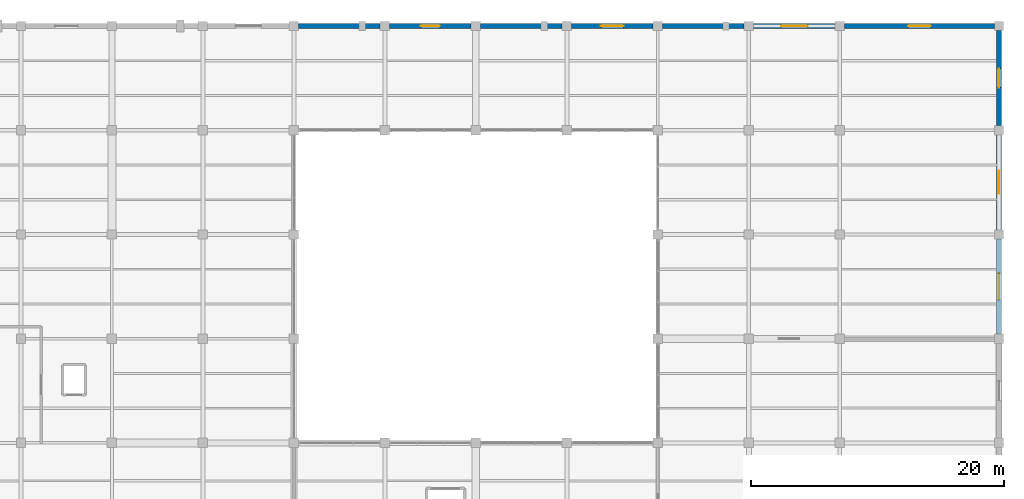
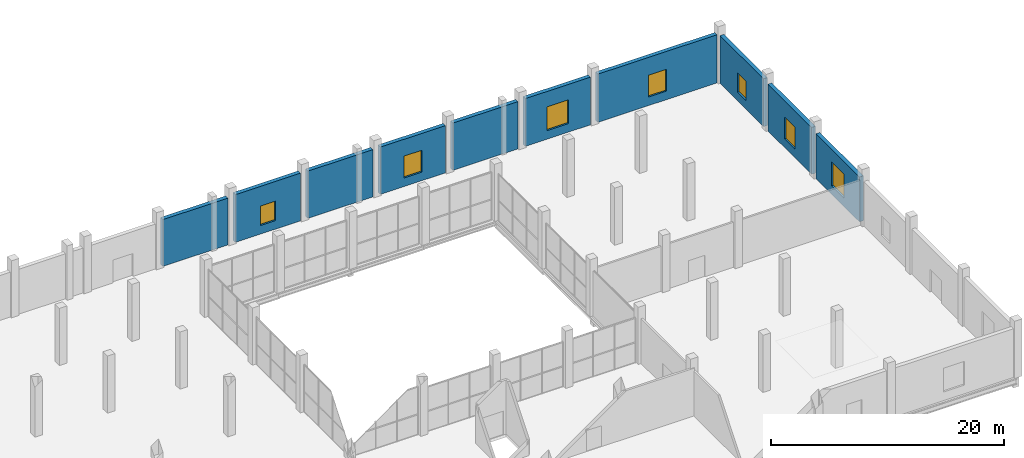
# One storey, part 132 of 144: 10 walls, 7 windows, 7 openings.
"""IFC4 building model written with IfcOpenShell, lengths in metres."""

from ifc_helpers import new_model, si_unit, direction, frame, frame_2d, origin, place, context, subcontext, project, spatial, rectangle, extrude, material, layer, layer_set, type_object, element, fill, save


model = new_model("IFC4")

# Units and contexts
model_context = context("Model", 3, precision=1e-05, world=origin(), true_north=direction((0.0, 1.0)))
body_context = subcontext(model_context, "Body", "Model", "MODEL_VIEW")
ifc_project = project(units=[si_unit("LENGTHUNIT", "METRE"), si_unit("AREAUNIT", "SQUARE_METRE"), si_unit("VOLUMEUNIT", "CUBIC_METRE"), si_unit("PLANEANGLEUNIT", "RADIAN"), si_unit("MASSUNIT", "GRAM", prefix="KILO")], contexts=[model_context])

# Site, building, storey
site_placement = place(None, origin())
site = spatial("IfcSite", under=ifc_project, at=site_placement, CompositionType="ELEMENT")
building_placement = place(site_placement, origin())
building = spatial("IfcBuilding", under=site, at=building_placement, Name="Sundgate Opera House", CompositionType="ELEMENT")
storey_placement = place(building_placement, origin())
storey = spatial("IfcBuildingStorey", under=building, at=storey_placement, Name="L00", CompositionType="ELEMENT", Elevation=0.0)

# Wall
ifc_material_1 = material(Name="Scanian red-brown facing brick masonry", Category="masonry")
ifc_layer = layer(ifc_material_1, 0.389892578125)
ifc_layer_set = layer_set([ifc_layer], Name="Scanian red-brown facing brick masonry")
wall_type = type_object("IfcWallType", Name="WL-EXT-BRICK-390", PredefinedType="SOLIDWALL", material=ifc_layer_set)
wall_1_placement = place(storey_placement, frame((124.570068359375, 120.0, 0.0), z_axis=(0.0, 0.0, 1.0), x_axis=(1.0, 0.0, 0.0)))
element("IfcWall", 1, at=wall_1_placement, inside=storey, type_object=wall_type, Name="L00 Conservatory North Brick Wall W0174", PredefinedType="SOLIDWALL", context=body_context, shape_type="SweptSolid", body=[
    extrude(rectangle(XDim=6.4599609375, YDim=0.389892578125, at=frame_2d((3.22998046875, 0.0))), origin(), (0.0, 0.0, 1.0), 4.9150390625),
])

# Wall, opening, window
wall_2_placement = place(storey_placement, frame((131.77001953125, 120.0, 0.0), z_axis=(0.0, 0.0, 1.0), x_axis=(1.0, 0.0, 0.0)))
wall_2 = element("IfcWall", 2, at=wall_2_placement, inside=storey, type_object=wall_type, Name="L00 Conservatory North Brick Wall W0175", PredefinedType="SOLIDWALL", context=body_context, shape_type="SweptSolid", body=[
    extrude(rectangle(XDim=6.4599609375, YDim=0.389892578125, at=frame_2d((3.22998046875, 0.0))), origin(), (0.0, 0.0, 1.0), 5.014892578125),
])
opening_1_placement = place(wall_2_placement, frame((2.47998046875, 0.0, 0.89990234375)))
opening_1 = element("IfcOpeningElement", 3, at=opening_1_placement, cuts=wall_2, Name="Opening W06", PredefinedType="OPENING", context=body_context, shape_type="SweptSolid", body=[
    extrude(rectangle(XDim=1.5, YDim=2.050048828125, at=frame_2d((0.75, 1.02490234375))), frame((0.0, 0.204833984375, 0.0), z_axis=(0.0, -1.0, 0.0), x_axis=(1.0, 0.0, 0.0)), (0.0, 0.0, 1.0), 0.409912109375),
])
ifc_material_2 = material(Name="Low-iron triple glazing in patinated bronze frame", Category="glass")
window_type_1 = type_object("IfcWindowType", Name="WN-CONS-1500x2050", PartitioningType="SINGLE_PANEL", PredefinedType="WINDOW", material=ifc_material_2)
window_1_placement = place(opening_1_placement, origin())
window_1 = element("IfcWindow", 4, at=window_1_placement, inside=storey, type_object=window_type_1, Name="L00 Conservatory Window WN0138", OverallHeight=2.050048828125, OverallWidth=1.5, PartitioningType="SINGLE_PANEL", PredefinedType="WINDOW", context=body_context, shape_type="SweptSolid", body=[
    extrude(rectangle(XDim=1.5, YDim=2.050048828125, at=frame_2d((0.75, 1.02490234375))), frame((0.0, 0.030029296875, 0.0), z_axis=(0.0, -1.0, 0.0), x_axis=(1.0, 0.0, 0.0)), (0.0, 0.0, 1.0), 0.06005859375),
])
fill(opening_1, window_1)

# Wall
wall_3_placement = place(storey_placement, frame((138.969970703125, 120.0, 0.0), z_axis=(0.0, 0.0, 1.0), x_axis=(1.0, 0.0, 0.0)))
element("IfcWall", 5, at=wall_3_placement, inside=storey, type_object=wall_type, Name="L00 Conservatory North Brick Wall W0176", PredefinedType="SOLIDWALL", context=body_context, shape_type="SweptSolid", body=[
    extrude(rectangle(XDim=6.4599609375, YDim=0.389892578125, at=frame_2d((3.22998046875, 0.0))), origin(), (0.0, 0.0, 1.0), 4.965087890625),
])

# Wall, opening, window
wall_4_placement = place(storey_placement, frame((146.169921875, 120.0, 0.0), z_axis=(0.0, 0.0, 1.0), x_axis=(1.0, 0.0, 0.0)))
wall_4 = element("IfcWall", 6, at=wall_4_placement, inside=storey, type_object=wall_type, Name="L00 Conservatory North Brick Wall W0177", PredefinedType="SOLIDWALL", context=body_context, shape_type="SweptSolid", body=[
    extrude(rectangle(XDim=6.4599609375, YDim=0.389892578125, at=frame_2d((3.22998046875, 0.0))), origin(), (0.0, 0.0, 1.0), 4.965087890625),
])
opening_2_placement = place(wall_4_placement, frame((2.330078125, 0.0, 0.89990234375)))
opening_2 = element("IfcOpeningElement", 7, at=opening_2_placement, cuts=wall_4, Name="Opening W05", PredefinedType="OPENING", context=body_context, shape_type="SweptSolid", body=[
    extrude(rectangle(XDim=1.800048828125, YDim=2.300048828125, at=frame_2d((0.89990234375, 1.14990234375))), frame((0.0, 0.204833984375, 0.0), z_axis=(0.0, -1.0, 0.0), x_axis=(1.0, 0.0, 0.0)), (0.0, 0.0, 1.0), 0.409912109375),
])
ifc_material_3 = material(Name="Low-iron triple glazing in patinated bronze frame", Category="glass")
window_type_2 = type_object("IfcWindowType", Name="WN-CONS-1800x2300", PartitioningType="SINGLE_PANEL", PredefinedType="WINDOW", material=ifc_material_3)
window_2_placement = place(opening_2_placement, origin())
window_2 = element("IfcWindow", 8, at=window_2_placement, inside=storey, type_object=window_type_2, Name="L00 Conservatory Window WN0139", OverallHeight=2.300048828125, OverallWidth=1.800048828125, PartitioningType="SINGLE_PANEL", PredefinedType="WINDOW", context=body_context, shape_type="SweptSolid", body=[
    extrude(rectangle(XDim=1.800048828125, YDim=2.300048828125, at=frame_2d((0.89990234375, 1.14990234375))), frame((0.0, 0.030029296875, 0.0), z_axis=(0.0, -1.0, 0.0), x_axis=(1.0, 0.0, 0.0)), (0.0, 0.0, 1.0), 0.06005859375),
])
fill(opening_2, window_2)

# Wall
wall_5_placement = place(storey_placement, frame((153.3701171875, 120.0, 0.0), z_axis=(0.0, 0.0, 1.0), x_axis=(1.0, 0.0, 0.0)))
element("IfcWall", 9, at=wall_5_placement, inside=storey, type_object=wall_type, Name="L00 Conservatory North Brick Wall W0178", PredefinedType="SOLIDWALL", context=body_context, shape_type="SweptSolid", body=[
    extrude(rectangle(XDim=6.4599609375, YDim=0.389892578125, at=frame_2d((3.22998046875, 0.0))), origin(), (0.0, 0.0, 1.0), 4.965087890625),
])

# Wall, opening, window
wall_6_placement = place(storey_placement, frame((160.570068359375, 120.0, 0.0), z_axis=(0.0, 0.0, 1.0), x_axis=(1.0, 0.0, 0.0)))
wall_6 = element("IfcWall", 10, at=wall_6_placement, inside=storey, type_object=wall_type, Name="L00 Conservatory North Brick Wall W0179", PredefinedType="SOLIDWALL", context=body_context, shape_type="SweptSolid", body=[
    extrude(rectangle(XDim=6.4599609375, YDim=0.389892578125, at=frame_2d((3.22998046875, 0.0))), origin(), (0.0, 0.0, 1.0), 5.014892578125),
])
opening_3_placement = place(wall_6_placement, frame((2.179931640625, 0.0, 0.89990234375)))
opening_3 = element("IfcOpeningElement", 11, at=opening_3_placement, cuts=wall_6, Name="Opening W04", PredefinedType="OPENING", context=body_context, shape_type="SweptSolid", body=[
    extrude(rectangle(XDim=2.10009765625, YDim=2.5, at=frame_2d((1.050048828125, 1.25))), frame((0.0, 0.204833984375, 0.0), z_axis=(0.0, -1.0, 0.0), x_axis=(1.0, 0.0, 0.0)), (0.0, 0.0, 1.0), 0.409912109375),
])
ifc_material_4 = material(Name="Low-iron triple glazing in patinated bronze frame", Category="glass")
window_type_3 = type_object("IfcWindowType", Name="WN-CONS-2100x2500", PartitioningType="SINGLE_PANEL", PredefinedType="WINDOW", material=ifc_material_4)
window_3_placement = place(opening_3_placement, origin())
window_3 = element("IfcWindow", 12, at=window_3_placement, inside=storey, type_object=window_type_3, Name="L00 Conservatory Window WN0140", OverallHeight=2.5, OverallWidth=2.10009765625, PartitioningType="SINGLE_PANEL", PredefinedType="WINDOW", context=body_context, shape_type="SweptSolid", body=[
    extrude(rectangle(XDim=2.10009765625, YDim=2.5, at=frame_2d((1.050048828125, 1.25))), frame((0.0, 0.030029296875, 0.0), z_axis=(0.0, -1.0, 0.0), x_axis=(1.0, 0.0, 0.0)), (0.0, 0.0, 1.0), 0.06005859375),
])
fill(opening_3, window_3)

wall_7_placement = place(storey_placement, frame((167.77001953125, 120.0, 0.0), z_axis=(0.0, 0.0, 1.0), x_axis=(1.0, 0.0, 0.0)))
wall_7 = element("IfcWall", 13, at=wall_7_placement, inside=storey, type_object=wall_type, Name="L00 Conservatory North Brick Wall W0180", PredefinedType="SOLIDWALL", context=body_context, shape_type="SweptSolid", body=[
    extrude(rectangle(XDim=11.85986328125, YDim=0.389892578125, at=frame_2d((5.929931640625, 0.0))), origin(), (0.0, 0.0, 1.0), 5.06494140625),
])
opening_4_placement = place(wall_7_placement, frame((5.030029296875, 0.0, 0.89990234375)))
opening_4 = element("IfcOpeningElement", 14, at=opening_4_placement, cuts=wall_7, Name="Opening W05", PredefinedType="OPENING", context=body_context, shape_type="SweptSolid", body=[
    extrude(rectangle(XDim=1.800048828125, YDim=2.300048828125, at=frame_2d((0.89990234375, 1.14990234375))), frame((0.0, 0.204833984375, 0.0), z_axis=(0.0, -1.0, 0.0), x_axis=(1.0, 0.0, 0.0)), (0.0, 0.0, 1.0), 0.409912109375),
])
window_4_placement = place(opening_4_placement, origin())
window_4 = element("IfcWindow", 15, at=window_4_placement, inside=storey, type_object=window_type_2, Name="L00 Conservatory Window WN0141", OverallHeight=2.300048828125, OverallWidth=1.800048828125, PartitioningType="SINGLE_PANEL", PredefinedType="WINDOW", context=body_context, shape_type="SweptSolid", body=[
    extrude(rectangle(XDim=1.800048828125, YDim=2.300048828125, at=frame_2d((0.89990234375, 1.14990234375))), frame((0.0, 0.030029296875, 0.0), z_axis=(0.0, -1.0, 0.0), x_axis=(1.0, 0.0, 0.0)), (0.0, 0.0, 1.0), 0.06005859375),
])
fill(opening_4, window_4)

wall_8_placement = place(storey_placement, frame((180.0, 103.1298828125, 0.0), z_axis=(0.0, 0.0, 1.0), x_axis=(0.0, -1.0, 0.0)))
wall_8 = element("IfcWall", 16, at=wall_8_placement, inside=storey, type_object=wall_type, Name="L00 Conservatory East Brick Wall W0184", PredefinedType="SOLIDWALL", context=body_context, shape_type="SweptSolid", body=[
    extrude(rectangle(XDim=7.509765625, YDim=0.389892578125, at=frame_2d((3.7548828125, 0.0))), origin(), (0.0, 0.0, 1.0), 4.715087890625),
])
opening_5_placement = place(wall_8_placement, frame((2.705078125, 0.0, 0.89990234375)))
opening_5 = element("IfcOpeningElement", 17, at=opening_5_placement, cuts=wall_8, Name="Opening W04", PredefinedType="OPENING", context=body_context, shape_type="SweptSolid", body=[
    extrude(rectangle(XDim=2.10009765625, YDim=2.5, at=frame_2d((1.050048828125, 1.25))), frame((0.0, 0.204833984375, 0.0), z_axis=(0.0, -1.0, 0.0), x_axis=(1.0, 0.0, 0.0)), (0.0, 0.0, 1.0), 0.409912109375),
])
window_5_placement = place(opening_5_placement, origin())
window_5 = element("IfcWindow", 18, at=window_5_placement, inside=storey, type_object=window_type_3, Name="L00 Conservatory Window WN0144", OverallHeight=2.5, OverallWidth=2.10009765625, PartitioningType="SINGLE_PANEL", PredefinedType="WINDOW", context=body_context, shape_type="SweptSolid", body=[
    extrude(rectangle(XDim=2.10009765625, YDim=2.5, at=frame_2d((1.050048828125, 1.25))), frame((0.0, 0.030029296875, 0.0), z_axis=(0.0, -1.0, 0.0), x_axis=(1.0, 0.0, 0.0)), (0.0, 0.0, 1.0), 0.06005859375),
])
fill(opening_5, window_5)

wall_9_placement = place(storey_placement, frame((180.0, 111.3798828125, 0.0), z_axis=(0.0, 0.0, 1.0), x_axis=(0.0, -1.0, 0.0)))
wall_9 = element("IfcWall", 19, at=wall_9_placement, inside=storey, type_object=wall_type, Name="L00 Conservatory East Brick Wall W0185", PredefinedType="SOLIDWALL", context=body_context, shape_type="SweptSolid", body=[
    extrude(rectangle(XDim=7.509765625, YDim=0.389892578125, at=frame_2d((3.7548828125, 0.0))), origin(), (0.0, 0.0, 1.0), 4.9150390625),
])
opening_6_placement = place(wall_9_placement, frame((2.85498046875, 0.0, 0.89990234375)))
opening_6 = element("IfcOpeningElement", 20, at=opening_6_placement, cuts=wall_9, Name="Opening W05", PredefinedType="OPENING", context=body_context, shape_type="SweptSolid", body=[
    extrude(rectangle(XDim=1.800048828125, YDim=2.300048828125, at=frame_2d((0.89990234375, 1.14990234375))), frame((0.0, 0.204833984375, 0.0), z_axis=(0.0, -1.0, 0.0), x_axis=(1.0, 0.0, 0.0)), (0.0, 0.0, 1.0), 0.409912109375),
])
window_6_placement = place(opening_6_placement, origin())
window_6 = element("IfcWindow", 21, at=window_6_placement, inside=storey, type_object=window_type_2, Name="L00 Conservatory Window WN0145", OverallHeight=2.300048828125, OverallWidth=1.800048828125, PartitioningType="SINGLE_PANEL", PredefinedType="WINDOW", context=body_context, shape_type="SweptSolid", body=[
    extrude(rectangle(XDim=1.800048828125, YDim=2.300048828125, at=frame_2d((0.89990234375, 1.14990234375))), frame((0.0, 0.030029296875, 0.0), z_axis=(0.0, -1.0, 0.0), x_axis=(1.0, 0.0, 0.0)), (0.0, 0.0, 1.0), 0.06005859375),
])
fill(opening_6, window_6)

wall_10_placement = place(storey_placement, frame((180.0, 119.6298828125, 0.0), z_axis=(0.0, 0.0, 1.0), x_axis=(0.0, -1.0, 0.0)))
wall_10 = element("IfcWall", 22, at=wall_10_placement, inside=storey, type_object=wall_type, Name="L00 Conservatory East Brick Wall W0186", PredefinedType="SOLIDWALL", context=body_context, shape_type="SweptSolid", body=[
    extrude(rectangle(XDim=7.509765625, YDim=0.389892578125, at=frame_2d((3.7548828125, 0.0))), origin(), (0.0, 0.0, 1.0), 5.014892578125),
])
opening_7_placement = place(wall_10_placement, frame((3.0048828125, 0.0, 0.89990234375)))
opening_7 = element("IfcOpeningElement", 23, at=opening_7_placement, cuts=wall_10, Name="Opening W06", PredefinedType="OPENING", context=body_context, shape_type="SweptSolid", body=[
    extrude(rectangle(XDim=1.5, YDim=2.050048828125, at=frame_2d((0.75, 1.02490234375))), frame((0.0, 0.204833984375, 0.0), z_axis=(0.0, -1.0, 0.0), x_axis=(1.0, 0.0, 0.0)), (0.0, 0.0, 1.0), 0.409912109375),
])
window_7_placement = place(opening_7_placement, origin())
window_7 = element("IfcWindow", 24, at=window_7_placement, inside=storey, type_object=window_type_1, Name="L00 Conservatory Window WN0146", OverallHeight=2.050048828125, OverallWidth=1.5, PartitioningType="SINGLE_PANEL", PredefinedType="WINDOW", context=body_context, shape_type="SweptSolid", body=[
    extrude(rectangle(XDim=1.5, YDim=2.050048828125, at=frame_2d((0.75, 1.02490234375))), frame((0.0, 0.030029296875, 0.0), z_axis=(0.0, -1.0, 0.0), x_axis=(1.0, 0.0, 0.0)), (0.0, 0.0, 1.0), 0.06005859375),
])
fill(opening_7, window_7)

save(model, "model.ifc")
